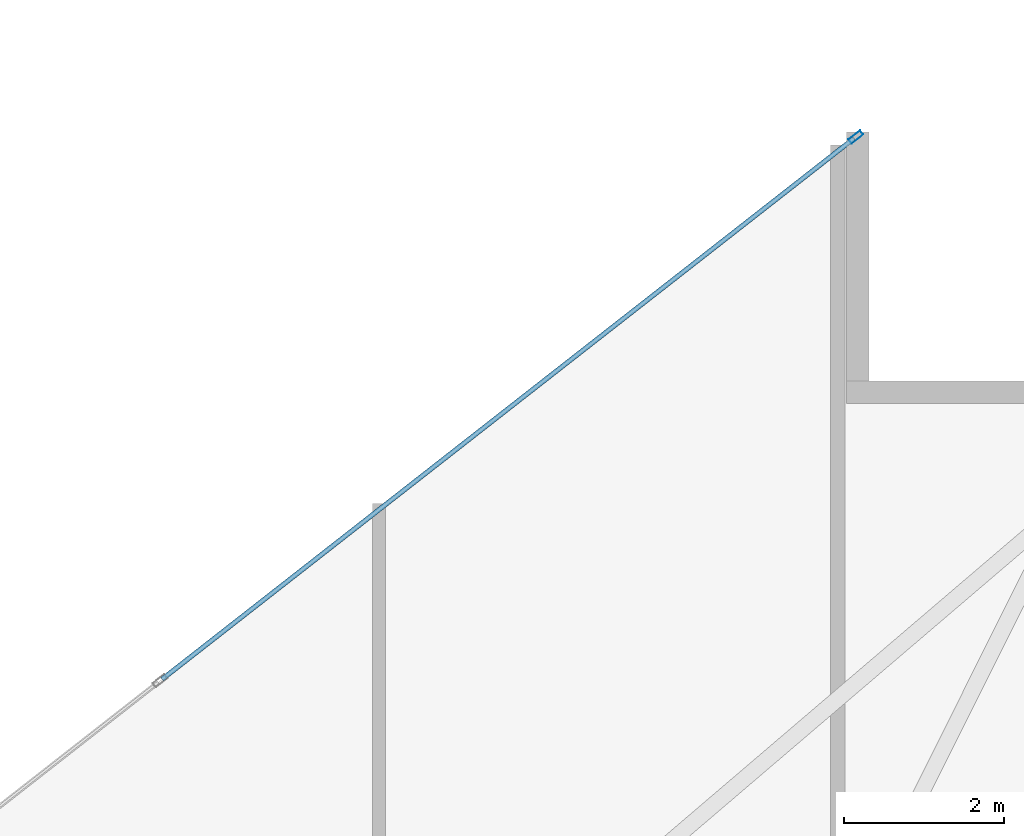
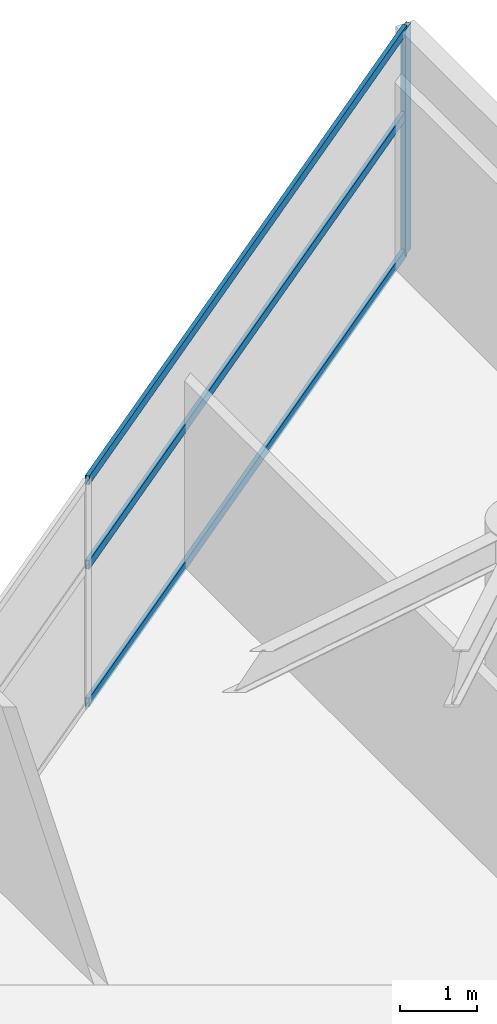
# One storey, part 21 of 29: 4 members, 1 element without a shape of its own.
"""IFC4 building model written with IfcOpenShell, lengths in metres."""

from ifc_helpers import new_model, si_unit, direction, frame, origin, origin_2d, place, context, subcontext, project, spatial, hollow_rectangle, extrude, material, layer, layer_set, material_profile, profile_set, type_object, element, aggregate, save


model = new_model("IFC4")

# Units and contexts
model_context = context("Model", 3, precision=1e-05, world=origin(), true_north=direction((0.0, 1.0)))
body_context = subcontext(model_context, "Body", "Model", "MODEL_VIEW")
ifc_project = project(units=[si_unit("LENGTHUNIT", "METRE"), si_unit("AREAUNIT", "SQUARE_METRE"), si_unit("VOLUMEUNIT", "CUBIC_METRE"), si_unit("PLANEANGLEUNIT", "RADIAN"), si_unit("MASSUNIT", "GRAM", prefix="KILO")], contexts=[model_context])

# Site, building, storey
site_placement = place(None, origin())
site = spatial("IfcSite", under=ifc_project, at=site_placement, CompositionType="ELEMENT")
building_placement = place(site_placement, origin())
building = spatial("IfcBuilding", under=site, at=building_placement, Name="Calvorn Quay Hotel", CompositionType="ELEMENT")
storey_placement = place(building_placement, frame((0.0, 0.0, 199.60009765625)))
storey = spatial("IfcBuildingStorey", under=building, at=storey_placement, Name="L49", CompositionType="ELEMENT", Elevation=199.60009765625)

# Curtain wall, members
ifc_material_1 = material(Name="Champagne Bronze Anodised Aluminium and Low-E Glass", Category="aluminium")
ifc_layer = layer(ifc_material_1, 0.219970703125)
ifc_layer_set = layer_set([ifc_layer], Name="CW-SYS-Z3")
curtain_wall_type = type_object("IfcCurtainWallType", Name="CW-SYS-Z3", PredefinedType="NOTDEFINED", material=ifc_layer_set)
curtain_wall_placement = place(storey_placement, origin())
curtain_wall = element("IfcCurtainWall", 1, at=curtain_wall_placement, inside=storey, type_object=curtain_wall_type, Name="Inner Court Curtain Wall L49-NE1", PredefinedType="NOTDEFINED")
ifc_material_2 = material(Name="Champagne Bronze Anodised Aluminium 6063-T6", Category="aluminium")
ifc_material_profile_1 = material_profile(ifc_material_2, hollow_rectangle(XDim=0.068115234375, YDim=0.18505859375, WallThickness=0.00390625, at=origin_2d()), Name="ALU-M185x68x4")
ifc_profile_set_1 = profile_set([ifc_material_profile_1], Name="Champagne Bronze Anodised Aluminium 6063-T6")
member_type_1 = type_object("IfcMemberType", Name="CW-SYS-Z3-MUL", PredefinedType="MULLION", material=ifc_profile_set_1)
member_1_placement = place(storey_placement, frame((38.976318359375, 37.9814453125, 0.0), z_axis=(0.0, 0.0, 1.0), x_axis=(0.615819768044, -0.787887056174, 0.0)))
member_1 = element("IfcMember", 2, at=member_1_placement, type_object=member_type_1, Name="CW-L49-NE1 mullion 1", PredefinedType="MULLION", context=body_context, shape_type="SweptSolid", body=[
    extrude(hollow_rectangle(XDim=0.068115234375, YDim=0.18505859375, WallThickness=0.00390625, at=origin_2d()), origin(), (0.0, 0.0, 1.0), 3.559814453125),
])
ifc_material_3 = material(Name="Champagne Bronze Anodised Aluminium 6063-T6", Category="aluminium")
ifc_material_profile_2 = material_profile(ifc_material_3, hollow_rectangle(XDim=0.05810546875, YDim=0.139892578125, WallThickness=0.003173828125, at=origin_2d()), Name="ALU-T140x58x3.2")
ifc_profile_set_2 = profile_set([ifc_material_profile_2], Name="Champagne Bronze Anodised Aluminium 6063-T6")
member_type_2 = type_object("IfcMemberType", Name="CW-SYS-Z3-TRN", PredefinedType="USERDEFINED", material=ifc_profile_set_2)
member_2_placement = place(storey_placement, frame((38.95263671875, 37.963134765625, 0.02978515625), z_axis=(-0.787878353679, -0.615830901956, 0.0), x_axis=(0.615830901956, -0.787878353679, 0.0)))
member_2 = element("IfcMember", 3, at=member_2_placement, type_object=member_type_2, Name="CW-L49-NE1 transom 1.1", ObjectType="TRANSOM", PredefinedType="USERDEFINED", context=body_context, shape_type="SweptSolid", body=[
    extrude(hollow_rectangle(XDim=0.05810546875, YDim=0.139892578125, WallThickness=0.003173828125, at=origin_2d()), origin(), (0.0, 0.0, 1.0), 10.9521484375),
])
member_3_placement = place(storey_placement, frame((38.95263671875, 37.963134765625, 2.199951171875), z_axis=(-0.787878353679, -0.615830901956, 0.0), x_axis=(0.615830901956, -0.787878353679, 0.0)))
member_3 = element("IfcMember", 4, at=member_3_placement, type_object=member_type_2, Name="CW-L49-NE1 transom 1.2", ObjectType="TRANSOM", PredefinedType="USERDEFINED", context=body_context, shape_type="SweptSolid", body=[
    extrude(hollow_rectangle(XDim=0.05810546875, YDim=0.139892578125, WallThickness=0.003173828125, at=origin_2d()), origin(), (0.0, 0.0, 1.0), 10.9521484375),
])
member_4_placement = place(storey_placement, frame((38.95263671875, 37.963134765625, 3.52978515625), z_axis=(-0.787878353679, -0.615830901956, 0.0), x_axis=(0.615830901956, -0.787878353679, 0.0)))
member_4 = element("IfcMember", 5, at=member_4_placement, type_object=member_type_2, Name="CW-L49-NE1 transom 1.3", ObjectType="TRANSOM", PredefinedType="USERDEFINED", context=body_context, shape_type="SweptSolid", body=[
    extrude(hollow_rectangle(XDim=0.05810546875, YDim=0.139892578125, WallThickness=0.003173828125, at=origin_2d()), origin(), (0.0, 0.0, 1.0), 10.9521484375),
])
aggregate(curtain_wall, [member_1, member_2, member_3, member_4])

save(model, "model.ifc")
